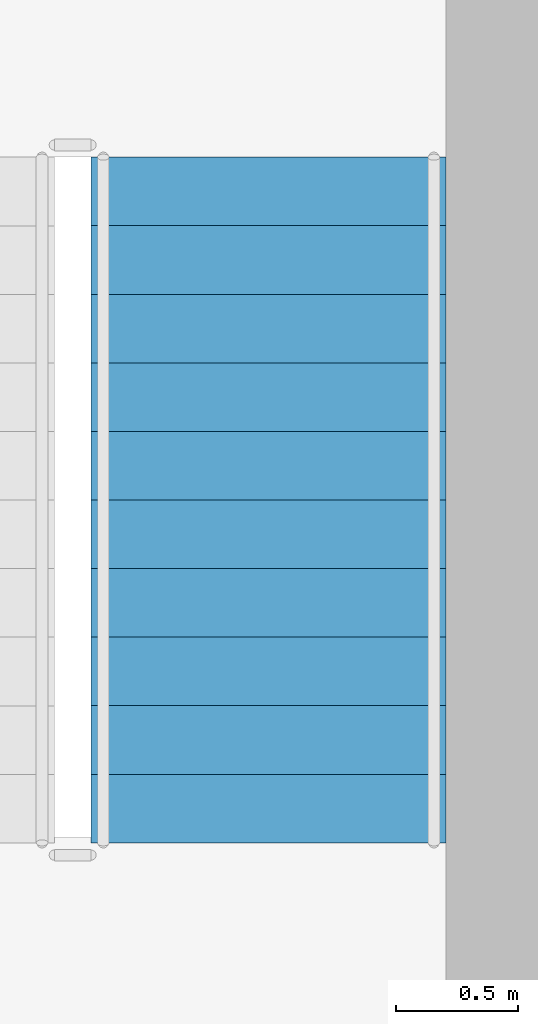
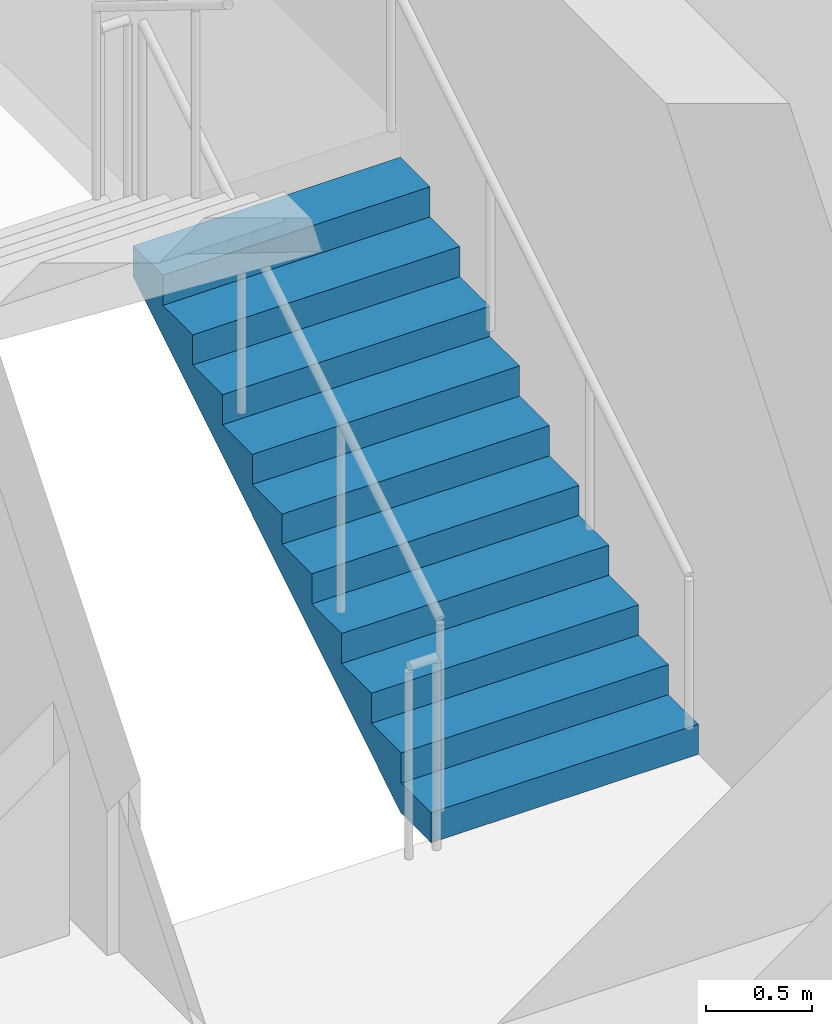
# One storey, part 35 of 38: 1 stair flight, 1 element without a shape of its own.
"""IFC4 building model written with IfcOpenShell, lengths in metres."""

from ifc_helpers import new_model, si_unit, direction, frame, origin, place, context, subcontext, project, spatial, polyline, outline, extrude, material, type_object, element, aggregate, save


model = new_model("IFC4")

# Units and contexts
model_context = context("Model", 3, precision=1e-05, world=origin(), true_north=direction((0.0, 1.0)))
body_context = subcontext(model_context, "Body", "Model", "MODEL_VIEW")
ifc_project = project(units=[si_unit("LENGTHUNIT", "METRE"), si_unit("AREAUNIT", "SQUARE_METRE"), si_unit("VOLUMEUNIT", "CUBIC_METRE"), si_unit("PLANEANGLEUNIT", "RADIAN"), si_unit("MASSUNIT", "GRAM", prefix="KILO")], contexts=[model_context])

# Site, building, storey
site_placement = place(None, origin())
site = spatial("IfcSite", under=ifc_project, at=site_placement, CompositionType="ELEMENT")
building_placement = place(site_placement, origin())
building = spatial("IfcBuilding", under=site, at=building_placement, Name="Saevonmaru Cultural Tower", CompositionType="ELEMENT")
storey_placement = place(building_placement, frame((0.0, 0.0, 133.39990234375)))
storey = spatial("IfcBuildingStorey", under=building, at=storey_placement, Name="L28", CompositionType="ELEMENT", Elevation=133.39990234375)

# Stair, stair flight
ifc_material_1 = material(Name="Concrete C40/50", Category="concrete")
stair_type = type_object("IfcStairType", Name="STR-DOGLEG-RC", PredefinedType="HALF_TURN_STAIR", material=ifc_material_1)
stair_placement = place(storey_placement, origin())
stair = element("IfcStair", 1, at=stair_placement, inside=storey, type_object=stair_type, Name="L28 Protected exit stair ST-2", PredefinedType="HALF_TURN_STAIR")
ifc_material_2 = material(Name="Precast concrete C40/50", Category="concrete")
stair_flight_type = type_object("IfcStairFlightType", Name="STF-PRECAST-180", PredefinedType="STRAIGHT", material=ifc_material_2)
stair_flight_placement = place(storey_placement, frame((45.074951171875, 44.85009765625, 0.0), z_axis=(0.0, 0.0, 1.0), x_axis=(0.0, 1.0, 0.0)))
stair_flight = element("IfcStairFlight", 2, at=stair_flight_placement, type_object=stair_flight_type, Name="ST-2-L28 flight 1", NumberOfRisers=11, NumberOfTreads=10, PredefinedType="STRAIGHT", RiserHeight=0.172727273, TreadLength=0.28, context=body_context, shape_type="SweptSolid", body=[
    extrude(outline(polyline([(0.0, 0.0), (0.0, 0.172607421875), (0.280029296875, 0.172607421875), (0.280029296875, 0.345458984375), (0.56005859375, 0.345458984375), (0.56005859375, 0.51806640625), (0.840087890625, 0.51806640625), (0.840087890625, 0.69091796875), (1.1201171875, 0.69091796875), (1.1201171875, 0.863525390625), (1.39990234375, 0.863525390625), (1.39990234375, 1.036376953125), (1.679931640625, 1.036376953125), (1.679931640625, 1.208984375), (1.9599609375, 1.208984375), (1.9599609375, 1.3818359375), (2.239990234375, 1.3818359375), (2.239990234375, 1.554443359375), (2.52001953125, 1.554443359375), (2.52001953125, 1.727294921875), (2.800048828125, 1.727294921875), (2.800048828125, 1.89990234375), (2.800048828125, 1.551025390625), (0.285400390625, 0.0), (0.0, 0.0)])), frame((0.0, 0.72509765625, 0.0), z_axis=(0.0, -1.0, 0.0), x_axis=(1.0, 0.0, 0.0)), (0.0, 0.0, 1.0), 1.449951171875),
])
aggregate(stair, [stair_flight])

save(model, "model.ifc")
